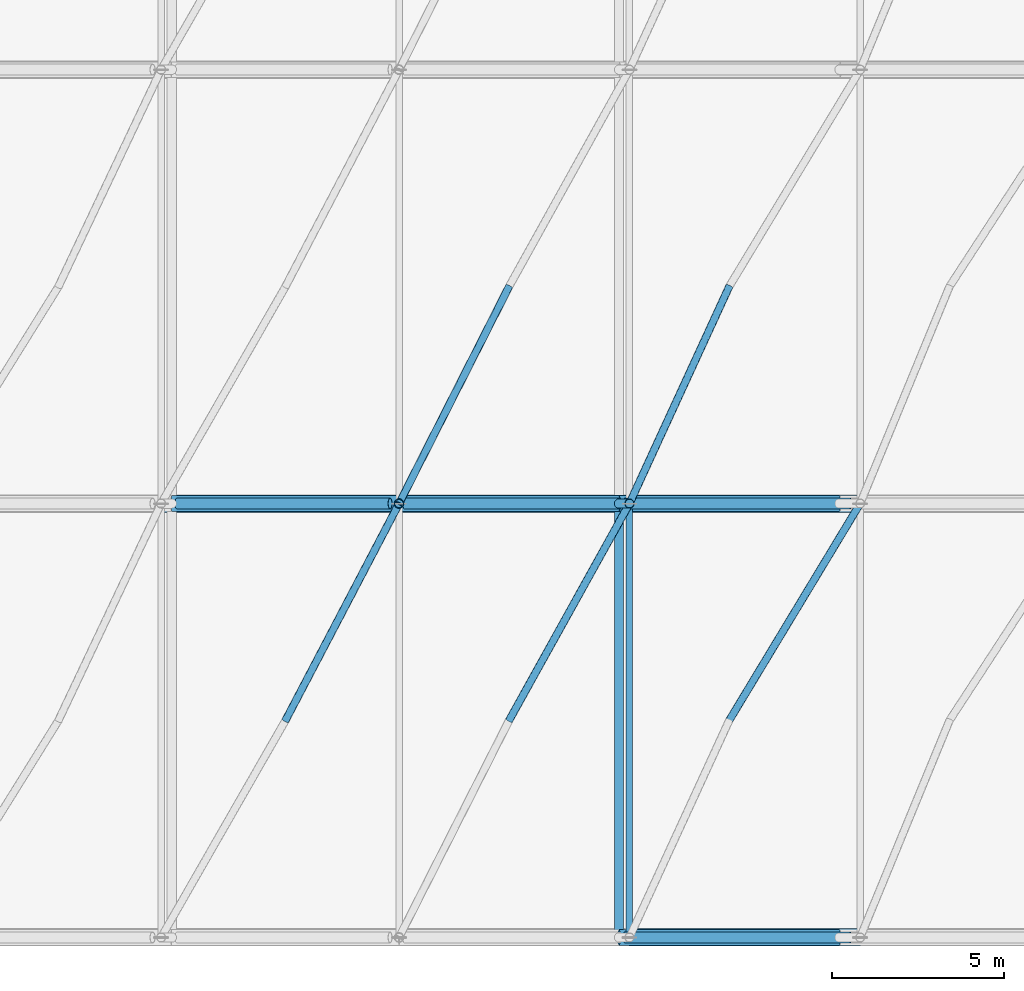
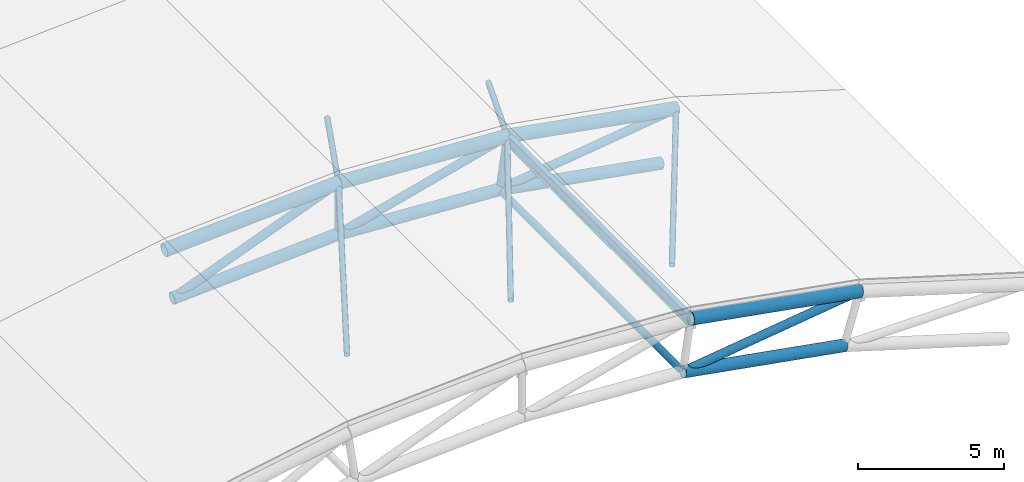
# One storey, part 2 of 18: 21 members.
"""IFC4 building model written with IfcOpenShell, lengths in metres."""

from ifc_helpers import new_model, si_unit, derived_unit, direction, frame, origin, origin_2d, place, context, subcontext, project, spatial, hollow_circle, i_section, extrude, material, material_profile, profile_set, type_object, element, save


model = new_model("IFC4")

# Units and contexts
model_context = context("Model", 3, precision=1e-05, world=origin(), true_north=direction((0.0, 1.0)))
body_context = subcontext(model_context, "Body", "Model", "MODEL_VIEW")
ifc_project = project(units=[si_unit("LENGTHUNIT", "METRE"), si_unit("AREAUNIT", "SQUARE_METRE"), si_unit("VOLUMEUNIT", "CUBIC_METRE"), si_unit("PLANEANGLEUNIT", "RADIAN"), si_unit("MASSUNIT", "GRAM", prefix="KILO"), derived_unit("THERMALTRANSMITTANCEUNIT", [(si_unit("MASSUNIT", "GRAM", prefix="KILO"), 1), (si_unit("TIMEUNIT", "SECOND"), -3), (si_unit("THERMODYNAMICTEMPERATUREUNIT", "KELVIN"), -1)])], contexts=[model_context])

# Site, building, storey
site_placement = place(None, origin())
site = spatial("IfcSite", under=ifc_project, at=site_placement, CompositionType="ELEMENT")
building_placement = place(site_placement, origin())
building = spatial("IfcBuilding", under=site, at=building_placement, Name="Valcora Ridge Arena", CompositionType="ELEMENT")
storey_placement = place(building_placement, frame((0.0, 0.0, 39.800048828125)))
storey = spatial("IfcBuildingStorey", under=building, at=storey_placement, Name="RF", CompositionType="ELEMENT", Elevation=39.800048828125)

# Members
ifc_material_1 = material(Name="Steel ASTM A572 Grade 50", Category="steel")
ifc_material_profile_1 = material_profile(ifc_material_1, i_section(OverallWidth=0.18994140625, OverallDepth=0.45703125, WebThickness=0.009033203125, FlangeThickness=0.014404296875, FilletRadius=0.014892578125, at=origin_2d()), Name="W18X50")
ifc_profile_set_1 = profile_set([ifc_material_profile_1], Name="Steel ASTM A572 Grade 50")
member_type_1 = type_object("IfcMemberType", Name="TY-MEMBER-PUR-W18X50", PredefinedType="PURLIN", material=ifc_profile_set_1)
member_1_placement = place(storey_placement, frame((62.5, 20.050048828125, 0.68603515625), z_axis=(0.0, 1.0, 0.0), x_axis=(-1.0, 0.0, 0.0)))
element("IfcMember", 1, at=member_1_placement, inside=storey, type_object=member_type_1, Name="PUR-W18X50 SF-PR-PUR-W18X50-0007", PredefinedType="PURLIN", context=body_context, shape_type="SweptSolid", body=[
    extrude(i_section(OverallWidth=0.18994140625, OverallDepth=0.45703125, WebThickness=0.009033203125, FlangeThickness=0.014404296875, FilletRadius=0.014892578125, at=origin_2d()), origin(), (0.0, 0.0, 1.0), 12.5),
])
ifc_material_2 = material(Name="Steel ASTM A500 Grade C", Category="steel")
ifc_material_profile_2 = material_profile(ifc_material_2, hollow_circle(Radius=0.228515625, WallThickness=0.01611328125, at=origin_2d()), Name="CHS457X16")
ifc_profile_set_2 = profile_set([ifc_material_profile_2], Name="Steel ASTM A500 Grade C")
member_type_2 = type_object("IfcMemberType", Name="TY-MEMBER-SFBC-457", PredefinedType="CHORD", material=ifc_profile_set_2)
member_2_placement = place(storey_placement, frame((62.197509765625, 20.0, -1.373046875), z_axis=(0.98458279147, 0.0, -0.174919200607), x_axis=(0.0, 1.0, 0.0)))
element("IfcMember", 2, at=member_2_placement, inside=storey, type_object=member_type_2, Name="SFBC-457 Space Frame Bottom Chord", PredefinedType="CHORD", context=body_context, shape_type="SweptSolid", body=[
    extrude(hollow_circle(Radius=0.228515625, WallThickness=0.01611328125, at=origin_2d()), origin(), (0.0, 0.0, 1.0), 6.4970703125),
])
member_3_placement = place(storey_placement, frame((49.21240234375, 32.60009765625, -1.39794921875), z_axis=(0.998185892949, 0.0, 0.060207334425), x_axis=(0.0, 1.0, 0.0)))
element("IfcMember", 3, at=member_3_placement, inside=storey, type_object=member_type_2, Name="SFBC-457 Space Frame Bottom Chord", PredefinedType="CHORD", context=body_context, shape_type="SweptSolid", body=[
    extrude(hollow_circle(Radius=0.228515625, WallThickness=0.01611328125, at=origin_2d()), origin(), (0.0, 0.0, 1.0), 6.609619140625),
])
member_4_placement = place(storey_placement, frame((55.81005859375, 32.60009765625, -1.0), z_axis=(0.998298890165, 0.0, -0.058303738263), x_axis=(0.0, 1.0, 0.0)))
element("IfcMember", 4, at=member_4_placement, inside=storey, type_object=member_type_2, Name="SFBC-457 Space Frame Bottom Chord", PredefinedType="CHORD", context=body_context, shape_type="SweptSolid", body=[
    extrude(hollow_circle(Radius=0.228515625, WallThickness=0.01611328125, at=origin_2d()), origin(), (0.0, 0.0, 1.0), 6.3984375),
])
member_5_placement = place(storey_placement, frame((62.197509765625, 32.60009765625, -1.373046875), z_axis=(0.98458279147, 0.0, -0.174919200607), x_axis=(0.0, 1.0, 0.0)))
element("IfcMember", 5, at=member_5_placement, inside=storey, type_object=member_type_2, Name="SFBC-457 Space Frame Bottom Chord", PredefinedType="CHORD", context=body_context, shape_type="SweptSolid", body=[
    extrude(hollow_circle(Radius=0.228515625, WallThickness=0.01611328125, at=origin_2d()), origin(), (0.0, 0.0, 1.0), 6.4970703125),
])
ifc_material_profile_3 = material_profile(ifc_material_2, hollow_circle(Radius=0.136474609375, WallThickness=0.012451171875, at=origin_2d()), Name="CHS273X12")
ifc_profile_set_3 = profile_set([ifc_material_profile_3], Name="Steel ASTM A500 Grade C")
member_type_3 = type_object("IfcMemberType", Name="TY-MEMBER-SFBT-273", PredefinedType="STRUT", material=ifc_profile_set_3)
member_6_placement = place(storey_placement, frame((62.197509765625, 20.179931640625, -1.373046875), z_axis=(0.0, 1.0, 0.0), x_axis=(-1.0, 0.0, 0.0)))
element("IfcMember", 6, at=member_6_placement, inside=storey, type_object=member_type_3, Name="SFBT-273 Space Frame Bottom Strut", PredefinedType="STRUT", context=body_context, shape_type="SweptSolid", body=[
    extrude(hollow_circle(Radius=0.136474609375, WallThickness=0.012451171875, at=origin_2d()), origin(), (0.0, 0.0, 1.0), 12.239990234375),
])
ifc_material_profile_4 = material_profile(ifc_material_2, hollow_circle(Radius=0.136474609375, WallThickness=0.012451171875, at=origin_2d()), Name="CHS273X12")
ifc_profile_set_4 = profile_set([ifc_material_profile_4], Name="Steel ASTM A500 Grade C")
member_type_4 = type_object("IfcMemberType", Name="TY-MEMBER-SFKP-273", PredefinedType="POST", material=ifc_profile_set_4)
member_7_placement = place(storey_placement, frame((55.81005859375, 32.60009765625, -1.0), z_axis=(0.0, 0.0, 1.0), x_axis=(1.0, 0.0, 0.0)))
element("IfcMember", 7, at=member_7_placement, inside=storey, type_object=member_type_4, Name="SFKP-273 Space Frame King Post", PredefinedType="POST", context=body_context, shape_type="SweptSolid", body=[
    extrude(hollow_circle(Radius=0.136474609375, WallThickness=0.012451171875, at=origin_2d()), origin(), (0.0, 0.0, 1.0), 2.14990234375),
])
member_8_placement = place(storey_placement, frame((62.197509765625, 32.60009765625, -1.373046875), z_axis=(0.140453193158, 0.0, 0.99008731965), x_axis=(0.0, 1.0, 0.0)))
element("IfcMember", 8, at=member_8_placement, inside=storey, type_object=member_type_4, Name="SFKP-273 Space Frame King Post", PredefinedType="POST", context=body_context, shape_type="SweptSolid", body=[
    extrude(hollow_circle(Radius=0.136474609375, WallThickness=0.012451171875, at=origin_2d()), origin(), (0.0, 0.0, 1.0), 2.153564453125),
])
ifc_material_profile_5 = material_profile(ifc_material_2, hollow_circle(Radius=0.109619140625, WallThickness=0.010009765625, at=origin_2d()), Name="CHS219X10")
ifc_profile_set_5 = profile_set([ifc_material_profile_5], Name="Steel ASTM A500 Grade C")
member_type_5 = type_object("IfcMemberType", Name="TY-MEMBER-SFST-219", PredefinedType="STRUT", material=ifc_profile_set_5)
member_9_placement = place(storey_placement, frame((52.51123046875, 26.300048828125, -1.099365234375), z_axis=(0.442279706619, 0.844658661138, 0.30156327243), x_axis=(-0.885900736373, 0.463874859519, 0.0)))
element("IfcMember", 9, at=member_9_placement, inside=storey, type_object=member_type_5, Name="SFST-219 Space Frame Tie Strut", PredefinedType="STRUT", context=body_context, shape_type="SweptSolid", body=[
    extrude(hollow_circle(Radius=0.109619140625, WallThickness=0.010009765625, at=origin_2d()), origin(), (0.0, 0.0, 1.0), 7.458740234375),
])
member_10_placement = place(storey_placement, frame((59.003662109375, 26.300048828125, -1.093017578125), z_axis=(0.469970193804, 0.846838967329, 0.248981485957), x_axis=(-0.874374557103, 0.485251619154, 0.0)))
element("IfcMember", 10, at=member_10_placement, inside=storey, type_object=member_type_5, Name="SFST-219 Space Frame Tie Strut", PredefinedType="STRUT", context=body_context, shape_type="SweptSolid", body=[
    extrude(hollow_circle(Radius=0.109619140625, WallThickness=0.010009765625, at=origin_2d()), origin(), (0.0, 0.0, 1.0), 7.439453125),
])
member_11_placement = place(storey_placement, frame((65.39599609375, 26.300048828125, -1.843505859375), z_axis=(0.50761778143, 0.84070835311, 0.188503721414), x_axis=(-0.856055305628, 0.516884236272, 0.0)))
element("IfcMember", 11, at=member_11_placement, inside=storey, type_object=member_type_5, Name="SFST-219 Space Frame Tie Strut", PredefinedType="STRUT", context=body_context, shape_type="SweptSolid", body=[
    extrude(hollow_circle(Radius=0.109619140625, WallThickness=0.010009765625, at=origin_2d()), origin(), (0.0, 0.0, 1.0), 7.49365234375),
])
member_12_placement = place(storey_placement, frame((59.003662109375, 38.89990234375, -1.093017578125), z_axis=(-0.430949401074, -0.850104605559, 0.302662804653), x_axis=(0.891938575785, -0.452156584632, 0.0)))
element("IfcMember", 12, at=member_12_placement, inside=storey, type_object=member_type_5, Name="SFST-219 Space Frame Tie Strut", PredefinedType="STRUT", context=body_context, shape_type="SweptSolid", body=[
    extrude(hollow_circle(Radius=0.109619140625, WallThickness=0.010009765625, at=origin_2d()), origin(), (0.0, 0.0, 1.0), 7.41064453125),
])
member_13_placement = place(storey_placement, frame((65.39599609375, 38.89990234375, -1.843505859375), z_axis=(-0.391033851494, -0.850635432806, 0.351442580575), x_axis=(0.90859523298, -0.417677749714, 0.0)))
element("IfcMember", 13, at=member_13_placement, inside=storey, type_object=member_type_5, Name="SFST-219 Space Frame Tie Strut", PredefinedType="STRUT", context=body_context, shape_type="SweptSolid", body=[
    extrude(hollow_circle(Radius=0.109619140625, WallThickness=0.010009765625, at=origin_2d()), origin(), (0.0, 0.0, 1.0), 7.406005859375),
])
ifc_material_profile_6 = material_profile(ifc_material_2, hollow_circle(Radius=0.25390625, WallThickness=0.01611328125, at=origin_2d()), Name="CHS508X16")
ifc_profile_set_6 = profile_set([ifc_material_profile_6], Name="Steel ASTM A500 Grade C")
member_type_6 = type_object("IfcMemberType", Name="TY-MEMBER-SFTC-508", PredefinedType="CHORD", material=ifc_profile_set_6)
member_14_placement = place(storey_placement, frame((62.5, 20.0, 0.75927734375), z_axis=(0.984585719015, 0.0, -0.174902721284), x_axis=(0.0, 1.0, 0.0)))
element("IfcMember", 14, at=member_14_placement, inside=storey, type_object=member_type_6, Name="SFTC-508 Space Frame Top Chord", PredefinedType="CHORD", context=body_context, shape_type="SweptSolid", body=[
    extrude(hollow_circle(Radius=0.25390625, WallThickness=0.01611328125, at=origin_2d()), origin(), (0.0, 0.0, 1.0), 6.804931640625),
])
member_15_placement = place(storey_placement, frame((48.89990234375, 32.60009765625, 0.7333984375), z_axis=(0.998188446948, 0.0, 0.060164976346), x_axis=(0.0, 1.0, 0.0)))
element("IfcMember", 15, at=member_15_placement, inside=storey, type_object=member_type_6, Name="SFTC-508 Space Frame Top Chord", PredefinedType="CHORD", context=body_context, shape_type="SweptSolid", body=[
    extrude(hollow_circle(Radius=0.25390625, WallThickness=0.01611328125, at=origin_2d()), origin(), (0.0, 0.0, 1.0), 6.922607421875),
])
member_16_placement = place(storey_placement, frame((55.81005859375, 32.60009765625, 1.14990234375), z_axis=(0.998299656479, 0.0, -0.058290615662), x_axis=(0.0, 1.0, 0.0)))
element("IfcMember", 16, at=member_16_placement, inside=storey, type_object=member_type_6, Name="SFTC-508 Space Frame Top Chord", PredefinedType="CHORD", context=body_context, shape_type="SweptSolid", body=[
    extrude(hollow_circle(Radius=0.25390625, WallThickness=0.01611328125, at=origin_2d()), origin(), (0.0, 0.0, 1.0), 6.701416015625),
])
member_17_placement = place(storey_placement, frame((62.5, 32.60009765625, 0.75927734375), z_axis=(0.984585719015, 0.0, -0.174902721284), x_axis=(0.0, 1.0, 0.0)))
element("IfcMember", 17, at=member_17_placement, inside=storey, type_object=member_type_6, Name="SFTC-508 Space Frame Top Chord", PredefinedType="CHORD", context=body_context, shape_type="SweptSolid", body=[
    extrude(hollow_circle(Radius=0.25390625, WallThickness=0.01611328125, at=origin_2d()), origin(), (0.0, 0.0, 1.0), 6.804931640625),
])
ifc_material_profile_7 = material_profile(ifc_material_2, hollow_circle(Radius=0.161865234375, WallThickness=0.012451171875, at=origin_2d()), Name="CHS323X12")
ifc_profile_set_7 = profile_set([ifc_material_profile_7], Name="Steel ASTM A500 Grade C")
member_type_7 = type_object("IfcMemberType", Name="TY-MEMBER-SFWB-323", PredefinedType="BRACE", material=ifc_profile_set_7)
member_18_placement = place(storey_placement, frame((62.356201171875, 20.0, -1.3515625), z_axis=(0.991073399433, 0.0, 0.133317354222), x_axis=(0.0, 1.0, 0.0)))
element("IfcMember", 18, at=member_18_placement, inside=storey, type_object=member_type_7, Name="SFWB-323 Space Frame Diagonal Brace", PredefinedType="BRACE", context=body_context, shape_type="SweptSolid", body=[
    extrude(hollow_circle(Radius=0.161865234375, WallThickness=0.012451171875, at=origin_2d()), origin(), (0.0, 0.0, 1.0), 6.62548828125),
])
member_19_placement = place(storey_placement, frame((49.36181640625, 32.60009765625, -1.34033203125), z_axis=(0.932850436779, 0.0, 0.360263879124), x_axis=(0.0, 1.0, 0.0)))
element("IfcMember", 19, at=member_19_placement, inside=storey, type_object=member_type_7, Name="SFWB-323 Space Frame Diagonal Brace", PredefinedType="BRACE", context=body_context, shape_type="SweptSolid", body=[
    extrude(hollow_circle(Radius=0.161865234375, WallThickness=0.012451171875, at=origin_2d()), origin(), (0.0, 0.0, 1.0), 6.63232421875),
])
member_20_placement = place(storey_placement, frame((55.964599609375, 32.60009765625, -0.959228515625), z_axis=(0.967117485825, 0.0, 0.254330038751), x_axis=(0.0, 1.0, 0.0)))
element("IfcMember", 20, at=member_20_placement, inside=storey, type_object=member_type_7, Name="SFWB-323 Space Frame Diagonal Brace", PredefinedType="BRACE", context=body_context, shape_type="SweptSolid", body=[
    extrude(hollow_circle(Radius=0.161865234375, WallThickness=0.012451171875, at=origin_2d()), origin(), (0.0, 0.0, 1.0), 6.4775390625),
])
member_21_placement = place(storey_placement, frame((62.356201171875, 32.60009765625, -1.3515625), z_axis=(0.991073399433, 0.0, 0.133317354222), x_axis=(0.0, 1.0, 0.0)))
element("IfcMember", 21, at=member_21_placement, inside=storey, type_object=member_type_7, Name="SFWB-323 Space Frame Diagonal Brace", PredefinedType="BRACE", context=body_context, shape_type="SweptSolid", body=[
    extrude(hollow_circle(Radius=0.161865234375, WallThickness=0.012451171875, at=origin_2d()), origin(), (0.0, 0.0, 1.0), 6.62548828125),
])

save(model, "model.ifc")
